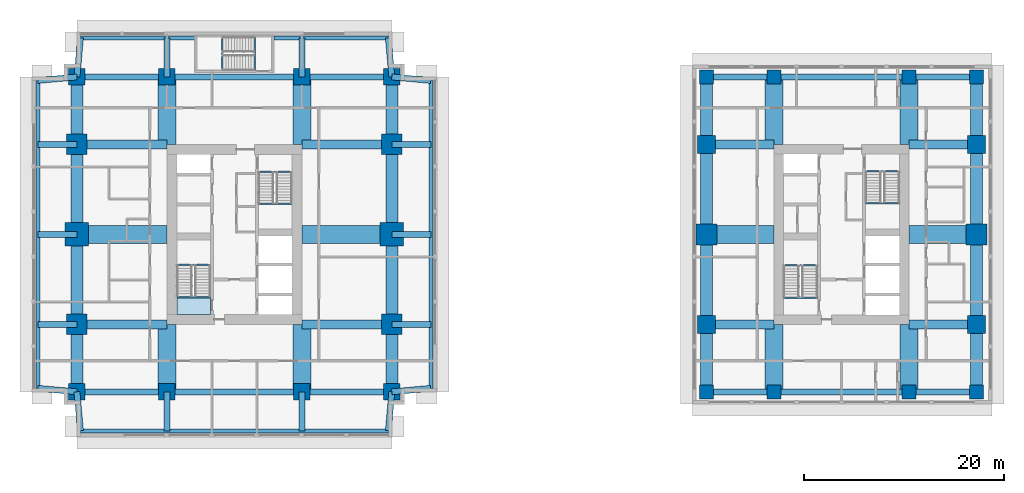
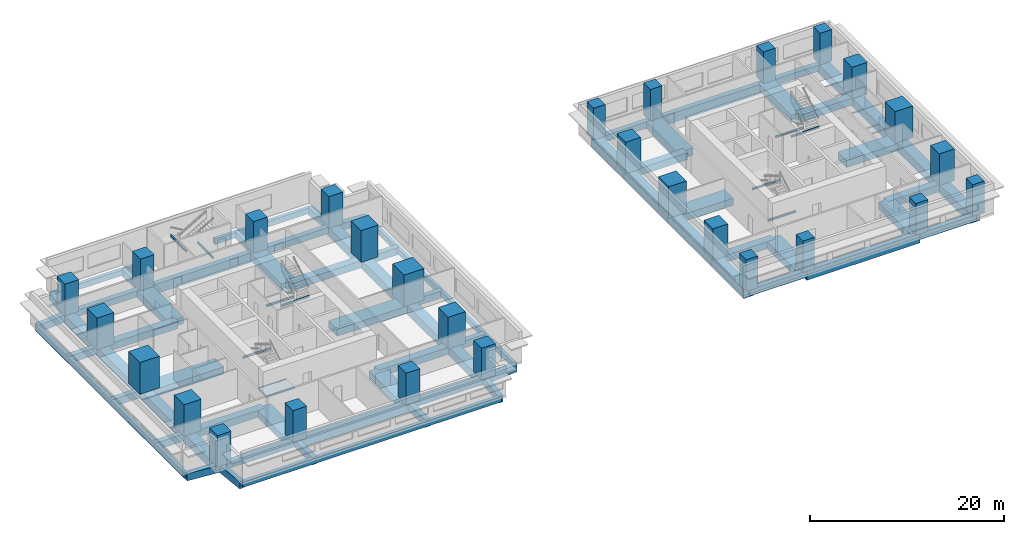
# One storey, part 1 of 11: 81 beams, 28 columns, 1 slab, 1 element without a shape of its own.
"""IFC4 building model written with IfcOpenShell, lengths in metres."""

from ifc_helpers import new_model, si_unit, direction, frame, origin, origin_2d, place, context, subcontext, project, spatial, polyline, rectangle, i_section, outline, extrude, material, layer, layer_set, material_profile, profile_set, type_object, element, aggregate, save


model = new_model("IFC4")

# Units and contexts
model_context = context("Model", 3, precision=1e-05, world=origin(), true_north=direction((0.0, 1.0)))
body_context = subcontext(model_context, "Body", "Model", "MODEL_VIEW")
ifc_project = project(units=[si_unit("LENGTHUNIT", "METRE"), si_unit("AREAUNIT", "SQUARE_METRE"), si_unit("VOLUMEUNIT", "CUBIC_METRE"), si_unit("PLANEANGLEUNIT", "RADIAN"), si_unit("MASSUNIT", "GRAM", prefix="KILO")], contexts=[model_context])

# Site, building, storey
site_placement = place(None, origin())
site = spatial("IfcSite", under=ifc_project, at=site_placement, CompositionType="ELEMENT")
building_placement = place(site_placement, origin())
building = spatial("IfcBuilding", under=site, at=building_placement, Name="Namib Vertical Campus", CompositionType="ELEMENT")
storey_placement = place(building_placement, frame((0.0, 0.0, 193.0)))
storey = spatial("IfcBuildingStorey", under=building, at=storey_placement, Name="L45", CompositionType="ELEMENT", Elevation=193.0)

# Columns
ifc_material_1 = material(Name="Concrete C60/75", Category="concrete")
ifc_material_profile_1 = material_profile(ifc_material_1, rectangle(XDim=1.39990234375, YDim=1.39990234375, at=origin_2d()))
ifc_profile_set_1 = profile_set([ifc_material_profile_1], Name="Concrete C60/75")
column_type_1 = type_object("IfcColumnType", Name="Column RC 1400x1400", PredefinedType="COLUMN", material=ifc_profile_set_1)
for number, where, z_axis, x_axis, name in (
    (1, (67.5, 4.5, 0.0), (0.0, 0.0, 1.0), (1.0, 0.0, 0.0), "Column C140 L45"),
    (2, (74.25, 4.5, 0.0), (0.0, 0.0, 1.0), (1.0, 0.0, 0.0), "Column C140 L45"),
    (3, (87.75, 4.5, 0.0), (0.0, 0.0, 1.0), (1.0, 0.0, 0.0), "Column C140 L45"),
    (4, (94.5, 4.5, 0.0), (0.0, 0.0, 1.0), (1.0, 0.0, 0.0), "Column C140 L45"),
    (5, (67.5, 36.0, 0.0), (0.0, 0.0, 1.0), (1.0, 0.0, 0.0), "Column C140 L45"),
    (6, (74.25, 36.0, 0.0), (0.0, 0.0, 1.0), (1.0, 0.0, 0.0), "Column C140 L45"),
    (7, (87.75, 36.0, 0.0), (0.0, 0.0, 1.0), (1.0, 0.0, 0.0), "Column C140 L45"),
    (8, (94.5, 36.0, 0.0), (0.0, 0.0, 1.0), (1.0, 0.0, 0.0), "Column C140 L45"),
):
    element("IfcColumn", number, at=place(storey_placement, frame(where, z_axis=z_axis, x_axis=x_axis)), inside=storey, type_object=column_type_1, Name=name, PredefinedType="COLUMN", context=body_context, shape_type="SweptSolid", body=[
        extrude(rectangle(XDim=1.39990234375, YDim=1.39990234375, at=origin_2d()), origin(), (0.0, 0.0, 1.0), 4.0),
    ])
ifc_material_2 = material(Name="Concrete C60/75", Category="concrete")
ifc_material_profile_2 = material_profile(ifc_material_2, rectangle(XDim=1.64990234375, YDim=1.64990234375, at=origin_2d()))
ifc_profile_set_2 = profile_set([ifc_material_profile_2], Name="Concrete C60/75")
column_type_2 = type_object("IfcColumnType", Name="Column RC 1650x1650", PredefinedType="COLUMN", material=ifc_profile_set_2)
for number, where, z_axis, x_axis, name in (
    (9, (4.5, 4.5, 0.0), (0.0, 0.0, 1.0), (1.0, 0.0, 0.0), "Column C165 L45"),
    (10, (13.5, 4.5, 0.0), (0.0, 0.0, 1.0), (1.0, 0.0, 0.0), "Column C165 L45"),
    (11, (27.0, 4.5, 0.0), (0.0, 0.0, 1.0), (1.0, 0.0, 0.0), "Column C165 L45"),
    (12, (36.0, 4.5, 0.0), (0.0, 0.0, 1.0), (1.0, 0.0, 0.0), "Column C165 L45"),
    (13, (4.5, 36.0, 0.0), (0.0, 0.0, 1.0), (1.0, 0.0, 0.0), "Column C165 L45"),
    (14, (13.5, 36.0, 0.0), (0.0, 0.0, 1.0), (1.0, 0.0, 0.0), "Column C165 L45"),
    (15, (27.0, 36.0, 0.0), (0.0, 0.0, 1.0), (1.0, 0.0, 0.0), "Column C165 L45"),
    (16, (36.0, 36.0, 0.0), (0.0, 0.0, 1.0), (1.0, 0.0, 0.0), "Column C165 L45"),
):
    element("IfcColumn", number, at=place(storey_placement, frame(where, z_axis=z_axis, x_axis=x_axis)), inside=storey, type_object=column_type_2, Name=name, PredefinedType="COLUMN", context=body_context, shape_type="SweptSolid", body=[
        extrude(rectangle(XDim=1.64990234375, YDim=1.64990234375, at=origin_2d()), origin(), (0.0, 0.0, 1.0), 4.0),
    ])
ifc_material_3 = material(Name="Concrete C60/75", Category="concrete")
ifc_material_profile_3 = material_profile(ifc_material_3, rectangle(XDim=1.800048828125, YDim=1.800048828125, at=origin_2d()))
ifc_profile_set_3 = profile_set([ifc_material_profile_3], Name="Concrete C60/75")
column_type_3 = type_object("IfcColumnType", Name="Column RC 1800x1800", PredefinedType="COLUMN", material=ifc_profile_set_3)
for number, where, z_axis, x_axis, name in (
    (17, (67.5, 11.25, 0.0), (0.0, 0.0, 1.0), (1.0, 0.0, 0.0), "Column C180 L45"),
    (18, (94.5, 11.25, 0.0), (0.0, 0.0, 1.0), (1.0, 0.0, 0.0), "Column C180 L45"),
    (19, (67.5, 29.25, 0.0), (0.0, 0.0, 1.0), (1.0, 0.0, 0.0), "Column C180 L45"),
    (20, (94.5, 29.25, 0.0), (0.0, 0.0, 1.0), (1.0, 0.0, 0.0), "Column C180 L45"),
):
    element("IfcColumn", number, at=place(storey_placement, frame(where, z_axis=z_axis, x_axis=x_axis)), inside=storey, type_object=column_type_3, Name=name, PredefinedType="COLUMN", context=body_context, shape_type="SweptSolid", body=[
        extrude(rectangle(XDim=1.800048828125, YDim=1.800048828125, at=origin_2d()), origin(), (0.0, 0.0, 1.0), 4.0),
    ])
ifc_material_4 = material(Name="Concrete C60/75", Category="concrete")
ifc_material_profile_4 = material_profile(ifc_material_4, rectangle(XDim=2.050048828125, YDim=2.050048828125, at=origin_2d()))
ifc_profile_set_4 = profile_set([ifc_material_profile_4], Name="Concrete C60/75")
column_type_4 = type_object("IfcColumnType", Name="Column RC 2050x2050", PredefinedType="COLUMN", material=ifc_profile_set_4)
for number, where, z_axis, x_axis, name in (
    (21, (4.5, 11.25, 0.0), (0.0, 0.0, 1.0), (1.0, 0.0, 0.0), "Column C205 L45"),
    (22, (36.0, 11.25, 0.0), (0.0, 0.0, 1.0), (1.0, 0.0, 0.0), "Column C205 L45"),
    (23, (4.5, 29.25, 0.0), (0.0, 0.0, 1.0), (1.0, 0.0, 0.0), "Column C205 L45"),
    (24, (36.0, 29.25, 0.0), (0.0, 0.0, 1.0), (1.0, 0.0, 0.0), "Column C205 L45"),
):
    element("IfcColumn", number, at=place(storey_placement, frame(where, z_axis=z_axis, x_axis=x_axis)), inside=storey, type_object=column_type_4, Name=name, PredefinedType="COLUMN", context=body_context, shape_type="SweptSolid", body=[
        extrude(rectangle(XDim=2.050048828125, YDim=2.050048828125, at=origin_2d()), origin(), (0.0, 0.0, 1.0), 4.0),
    ])
ifc_material_5 = material(Name="Concrete C60/75", Category="concrete")
ifc_material_profile_5 = material_profile(ifc_material_5, rectangle(XDim=2.10009765625, YDim=2.10009765625, at=origin_2d()))
ifc_profile_set_5 = profile_set([ifc_material_profile_5], Name="Concrete C60/75")
column_type_5 = type_object("IfcColumnType", Name="Column RC 2100x2100", PredefinedType="COLUMN", material=ifc_profile_set_5)
for number, where, z_axis, x_axis, name in (
    (25, (67.5, 20.25, 0.0), (0.0, 0.0, 1.0), (1.0, 0.0, 0.0), "Column C210 L45"),
    (26, (94.5, 20.25, 0.0), (0.0, 0.0, 1.0), (1.0, 0.0, 0.0), "Column C210 L45"),
):
    element("IfcColumn", number, at=place(storey_placement, frame(where, z_axis=z_axis, x_axis=x_axis)), inside=storey, type_object=column_type_5, Name=name, PredefinedType="COLUMN", context=body_context, shape_type="SweptSolid", body=[
        extrude(rectangle(XDim=2.10009765625, YDim=2.10009765625, at=origin_2d()), origin(), (0.0, 0.0, 1.0), 4.0),
    ])
ifc_material_6 = material(Name="Concrete C60/75", Category="concrete")
ifc_material_profile_6 = material_profile(ifc_material_6, rectangle(XDim=2.35009765625, YDim=2.35009765625, at=origin_2d()))
ifc_profile_set_6 = profile_set([ifc_material_profile_6], Name="Concrete C60/75")
column_type_6 = type_object("IfcColumnType", Name="Column RC 2350x2350", PredefinedType="COLUMN", material=ifc_profile_set_6)
for number, where, z_axis, x_axis, name in (
    (27, (4.5, 20.25, 0.0), (0.0, 0.0, 1.0), (1.0, 0.0, 0.0), "Column C235 L45"),
    (28, (36.0, 20.25, 0.0), (0.0, 0.0, 1.0), (1.0, 0.0, 0.0), "Column C235 L45"),
):
    element("IfcColumn", number, at=place(storey_placement, frame(where, z_axis=z_axis, x_axis=x_axis)), inside=storey, type_object=column_type_6, Name=name, PredefinedType="COLUMN", context=body_context, shape_type="SweptSolid", body=[
        extrude(rectangle(XDim=2.35009765625, YDim=2.35009765625, at=origin_2d()), origin(), (0.0, 0.0, 1.0), 4.0),
    ])

# Beams
ifc_material_7 = material(Name="Concrete C40/50", Category="concrete")
ifc_material_profile_7 = material_profile(ifc_material_7, rectangle(XDim=0.60009765625, YDim=0.89990234375, at=origin_2d()))
ifc_profile_set_7 = profile_set([ifc_material_profile_7], Name="Concrete C40/50")
beam_type_1 = type_object("IfcBeamType", Name="Cantilever girder RC 600x900", PredefinedType="BEAM", material=ifc_profile_set_7)
beam_1_placement = place(storey_placement, frame((4.5, 4.5, -0.699951171875), z_axis=(0.089411326146, -0.995994786511, 0.0), x_axis=(0.995994786511, 0.089411326146, 0.0)))
element("IfcBeam", 29, at=beam_1_placement, inside=storey, type_object=beam_type_1, Name="Beam B3 L45", PredefinedType="BEAM", context=body_context, shape_type="SweptSolid", body=[
    extrude(rectangle(XDim=0.60009765625, YDim=0.89990234375, at=origin_2d()), origin(), (0.0, 0.0, 1.0), 3.91552734375),
])
for number, where, z_axis, x_axis, name in (
    (30, (13.5, 4.5, -0.699951171875), (0.0, -1.0, 0.0), (1.0, 0.0, 0.0), "Beam B3 L45"),
    (31, (27.0, 4.5, -0.699951171875), (0.0, -1.0, 0.0), (1.0, 0.0, 0.0), "Beam B3 L45"),
):
    element("IfcBeam", number, at=place(storey_placement, frame(where, z_axis=z_axis, x_axis=x_axis)), inside=storey, type_object=beam_type_1, Name=name, PredefinedType="BEAM", context=body_context, shape_type="SweptSolid", body=[
        extrude(rectangle(XDim=0.60009765625, YDim=0.89990234375, at=origin_2d()), origin(), (0.0, 0.0, 1.0), 3.89990234375),
    ])
for number, where, z_axis, x_axis, name in (
    (32, (36.0, 4.5, -0.699951171875), (-0.089411326146, -0.995994786511, 0.0), (0.995994786511, -0.089411326146, 0.0), "Beam B3 L45"),
    (33, (4.5, 36.0, -0.699951171875), (0.089411326146, 0.995994786511, 0.0), (-0.995994786511, 0.089411326146, 0.0), "Beam B3 L45"),
):
    element("IfcBeam", number, at=place(storey_placement, frame(where, z_axis=z_axis, x_axis=x_axis)), inside=storey, type_object=beam_type_1, Name=name, PredefinedType="BEAM", context=body_context, shape_type="SweptSolid", body=[
        extrude(rectangle(XDim=0.60009765625, YDim=0.89990234375, at=origin_2d()), origin(), (0.0, 0.0, 1.0), 3.91552734375),
    ])
for number, where, z_axis, x_axis, name in (
    (34, (13.5, 36.0, -0.699951171875), (0.0, 1.0, 0.0), (-1.0, 0.0, 0.0), "Beam B3 L45"),
    (35, (27.0, 36.0, -0.699951171875), (0.0, 1.0, 0.0), (-1.0, 0.0, 0.0), "Beam B3 L45"),
):
    element("IfcBeam", number, at=place(storey_placement, frame(where, z_axis=z_axis, x_axis=x_axis)), inside=storey, type_object=beam_type_1, Name=name, PredefinedType="BEAM", context=body_context, shape_type="SweptSolid", body=[
        extrude(rectangle(XDim=0.60009765625, YDim=0.89990234375, at=origin_2d()), origin(), (0.0, 0.0, 1.0), 3.89990234375),
    ])
for number, where, z_axis, x_axis, name in (
    (36, (36.0, 36.0, -0.699951171875), (-0.089411326146, 0.995994786511, 0.0), (-0.995994786511, -0.089411326146, 0.0), "Beam B3 L45"),
    (37, (4.5, 4.5, -0.699951171875), (-0.995994786511, 0.089411326146, 0.0), (-0.089411326146, -0.995994786511, 0.0), "Beam B3 L45"),
):
    element("IfcBeam", number, at=place(storey_placement, frame(where, z_axis=z_axis, x_axis=x_axis)), inside=storey, type_object=beam_type_1, Name=name, PredefinedType="BEAM", context=body_context, shape_type="SweptSolid", body=[
        extrude(rectangle(XDim=0.60009765625, YDim=0.89990234375, at=origin_2d()), origin(), (0.0, 0.0, 1.0), 3.91552734375),
    ])
for number, where, z_axis, x_axis, name in (
    (38, (4.5, 11.25, -0.699951171875), (-1.0, 0.0, 0.0), (0.0, -1.0, 0.0), "Beam B3 L45"),
    (39, (4.5, 20.25, -0.699951171875), (-1.0, 0.0, 0.0), (0.0, -1.0, 0.0), "Beam B3 L45"),
    (40, (4.5, 29.25, -0.699951171875), (-1.0, 0.0, 0.0), (0.0, -1.0, 0.0), "Beam B3 L45"),
):
    element("IfcBeam", number, at=place(storey_placement, frame(where, z_axis=z_axis, x_axis=x_axis)), inside=storey, type_object=beam_type_1, Name=name, PredefinedType="BEAM", context=body_context, shape_type="SweptSolid", body=[
        extrude(rectangle(XDim=0.60009765625, YDim=0.89990234375, at=origin_2d()), origin(), (0.0, 0.0, 1.0), 3.89990234375),
    ])
for number, where, z_axis, x_axis, name in (
    (41, (4.5, 36.0, -0.699951171875), (-0.995994786511, -0.089411326146, 0.0), (0.089411326146, -0.995994786511, 0.0), "Beam B3 L45"),
    (42, (36.0, 4.5, -0.699951171875), (0.995994786511, 0.089411326146, 0.0), (-0.089411326146, 0.995994786511, 0.0), "Beam B3 L45"),
):
    element("IfcBeam", number, at=place(storey_placement, frame(where, z_axis=z_axis, x_axis=x_axis)), inside=storey, type_object=beam_type_1, Name=name, PredefinedType="BEAM", context=body_context, shape_type="SweptSolid", body=[
        extrude(rectangle(XDim=0.60009765625, YDim=0.89990234375, at=origin_2d()), origin(), (0.0, 0.0, 1.0), 3.91552734375),
    ])
for number, where, z_axis, x_axis, name in (
    (43, (36.0, 11.25, -0.699951171875), (1.0, 0.0, 0.0), (0.0, 1.0, 0.0), "Beam B3 L45"),
    (44, (36.0, 20.25, -0.699951171875), (1.0, 0.0, 0.0), (0.0, 1.0, 0.0), "Beam B3 L45"),
    (45, (36.0, 29.25, -0.699951171875), (1.0, 0.0, 0.0), (0.0, 1.0, 0.0), "Beam B3 L45"),
):
    element("IfcBeam", number, at=place(storey_placement, frame(where, z_axis=z_axis, x_axis=x_axis)), inside=storey, type_object=beam_type_1, Name=name, PredefinedType="BEAM", context=body_context, shape_type="SweptSolid", body=[
        extrude(rectangle(XDim=0.60009765625, YDim=0.89990234375, at=origin_2d()), origin(), (0.0, 0.0, 1.0), 3.89990234375),
    ])
beam_2_placement = place(storey_placement, frame((36.0, 36.0, -0.699951171875), z_axis=(0.995994786511, -0.089411326146, 0.0), x_axis=(0.089411326146, 0.995994786511, 0.0)))
element("IfcBeam", 46, at=beam_2_placement, inside=storey, type_object=beam_type_1, Name="Beam B3 L45", PredefinedType="BEAM", context=body_context, shape_type="SweptSolid", body=[
    extrude(rectangle(XDim=0.60009765625, YDim=0.89990234375, at=origin_2d()), origin(), (0.0, 0.0, 1.0), 3.91552734375),
])
ifc_material_8 = material(Name="Concrete C40/50", Category="concrete")
ifc_material_profile_8 = material_profile(ifc_material_8, rectangle(XDim=0.39990234375, YDim=0.699951171875, at=origin_2d()))
ifc_profile_set_8 = profile_set([ifc_material_profile_8], Name="Concrete C40/50")
beam_type_2 = type_object("IfcBeamType", Name="Edge beam RC 400x700", PredefinedType="SPANDREL", material=ifc_profile_set_8)
beam_3_placement = place(storey_placement, frame((4.85009765625, 0.60009765625, -0.60009765625), z_axis=(1.0, 0.0, 0.0), x_axis=(0.0, 1.0, 0.0)))
element("IfcBeam", 47, at=beam_3_placement, inside=storey, type_object=beam_type_2, Name="Beam B4 L45", PredefinedType="SPANDREL", context=body_context, shape_type="SweptSolid", body=[
    extrude(rectangle(XDim=0.39990234375, YDim=0.699951171875, at=origin_2d()), origin(), (0.0, 0.0, 1.0), 30.7998046875),
])
for number, where, z_axis, x_axis, name in (
    (48, (4.85009765625, 39.89990234375, -0.60009765625), (1.0, 0.0, 0.0), (0.0, 1.0, 0.0), "Beam B4 L45"),
    (49, (24.199951171875, 39.89990234375, -0.60009765625), (1.0, 0.0, 0.0), (0.0, 1.0, 0.0), "Beam B4 L45"),
):
    element("IfcBeam", number, at=place(storey_placement, frame(where, z_axis=z_axis, x_axis=x_axis)), inside=storey, type_object=beam_type_2, Name=name, PredefinedType="SPANDREL", context=body_context, shape_type="SweptSolid", body=[
        extrude(rectangle(XDim=0.39990234375, YDim=0.699951171875, at=origin_2d()), origin(), (0.0, 0.0, 1.0), 11.449951171875),
    ])
for number, where, z_axis, x_axis, name in (
    (50, (0.60009765625, 4.85009765625, -0.60009765625), (0.0, 1.0, 0.0), (-1.0, 0.0, 0.0), "Beam B4 L45"),
    (51, (39.89990234375, 4.85009765625, -0.60009765625), (0.0, 1.0, 0.0), (-1.0, 0.0, 0.0), "Beam B4 L45"),
):
    element("IfcBeam", number, at=place(storey_placement, frame(where, z_axis=z_axis, x_axis=x_axis)), inside=storey, type_object=beam_type_2, Name=name, PredefinedType="SPANDREL", context=body_context, shape_type="SweptSolid", body=[
        extrude(rectangle(XDim=0.39990234375, YDim=0.699951171875, at=origin_2d()), origin(), (0.0, 0.0, 1.0), 30.7998046875),
    ])
ifc_material_9 = material(Name="Concrete C40/50", Category="concrete")
ifc_material_profile_9 = material_profile(ifc_material_9, rectangle(XDim=0.89990234375, YDim=0.89990234375, at=origin_2d()))
ifc_profile_set_9 = profile_set([ifc_material_profile_9], Name="Concrete C40/50")
beam_type_3 = type_object("IfcBeamType", Name="Face girder RC 900x900", PredefinedType="BEAM", material=ifc_profile_set_9)
for number, where, z_axis, x_axis, name in (
    (52, (4.5, 11.25, -0.699951171875), (1.0, 0.0, 0.0), (0.0, 1.0, 0.0), "Beam B10 L45"),
    (53, (36.0, 11.25, -0.699951171875), (-1.0, 0.0, 0.0), (0.0, -1.0, 0.0), "Beam B10 L45"),
    (54, (4.5, 29.25, -0.699951171875), (1.0, 0.0, 0.0), (0.0, 1.0, 0.0), "Beam B10 L45"),
    (55, (36.0, 29.25, -0.699951171875), (-1.0, 0.0, 0.0), (0.0, -1.0, 0.0), "Beam B10 L45"),
):
    element("IfcBeam", number, at=place(storey_placement, frame(where, z_axis=z_axis, x_axis=x_axis)), inside=storey, type_object=beam_type_3, Name=name, PredefinedType="BEAM", context=body_context, shape_type="SweptSolid", body=[
        extrude(rectangle(XDim=0.89990234375, YDim=0.89990234375, at=origin_2d()), origin(), (0.0, 0.0, 1.0), 9.0),
    ])
for number, where, z_axis, x_axis, name in (
    (56, (67.5, 11.25, -0.699951171875), (1.0, 0.0, 0.0), (0.0, 1.0, 0.0), "Beam B10 L45"),
    (57, (94.5, 11.25, -0.699951171875), (-1.0, 0.0, 0.0), (0.0, -1.0, 0.0), "Beam B10 L45"),
    (58, (67.5, 29.25, -0.699951171875), (1.0, 0.0, 0.0), (0.0, 1.0, 0.0), "Beam B10 L45"),
    (59, (94.5, 29.25, -0.699951171875), (-1.0, 0.0, 0.0), (0.0, -1.0, 0.0), "Beam B10 L45"),
):
    element("IfcBeam", number, at=place(storey_placement, frame(where, z_axis=z_axis, x_axis=x_axis)), inside=storey, type_object=beam_type_3, Name=name, PredefinedType="BEAM", context=body_context, shape_type="SweptSolid", body=[
        extrude(rectangle(XDim=0.89990234375, YDim=0.89990234375, at=origin_2d()), origin(), (0.0, 0.0, 1.0), 6.75),
    ])
ifc_material_10 = material(Name="Concrete C40/50", Category="concrete")
ifc_material_profile_10 = material_profile(ifc_material_10, rectangle(XDim=1.199951171875, YDim=1.10009765625, at=origin_2d()))
ifc_profile_set_10 = profile_set([ifc_material_profile_10], Name="Concrete C40/50")
beam_type_4 = type_object("IfcBeamType", Name="Face ring beam RC 1200x1100", PredefinedType="BEAM", material=ifc_profile_set_10)
beam_4_placement = place(storey_placement, frame((4.5, 4.5, -0.800048828125), z_axis=(0.0, 1.0, 0.0), x_axis=(-1.0, 0.0, 0.0)))
element("IfcBeam", 60, at=beam_4_placement, inside=storey, type_object=beam_type_4, Name="Beam B11 L45", PredefinedType="BEAM", context=body_context, shape_type="SweptSolid", body=[
    extrude(rectangle(XDim=1.199951171875, YDim=1.10009765625, at=origin_2d()), origin(), (0.0, 0.0, 1.0), 6.75),
])
for number, where, z_axis, x_axis, name in (
    (61, (4.5, 11.25, -0.800048828125), (0.0, 1.0, 0.0), (-1.0, 0.0, 0.0), "Beam B11 L45"),
    (62, (4.5, 20.25, -0.800048828125), (0.0, 1.0, 0.0), (-1.0, 0.0, 0.0), "Beam B11 L45"),
):
    element("IfcBeam", number, at=place(storey_placement, frame(where, z_axis=z_axis, x_axis=x_axis)), inside=storey, type_object=beam_type_4, Name=name, PredefinedType="BEAM", context=body_context, shape_type="SweptSolid", body=[
        extrude(rectangle(XDim=1.199951171875, YDim=1.10009765625, at=origin_2d()), origin(), (0.0, 0.0, 1.0), 9.0),
    ])
for number, where, z_axis, x_axis, name in (
    (63, (4.5, 29.25, -0.800048828125), (0.0, 1.0, 0.0), (-1.0, 0.0, 0.0), "Beam B11 L45"),
    (64, (36.0, 4.5, -0.800048828125), (0.0, 1.0, 0.0), (-1.0, 0.0, 0.0), "Beam B11 L45"),
):
    element("IfcBeam", number, at=place(storey_placement, frame(where, z_axis=z_axis, x_axis=x_axis)), inside=storey, type_object=beam_type_4, Name=name, PredefinedType="BEAM", context=body_context, shape_type="SweptSolid", body=[
        extrude(rectangle(XDim=1.199951171875, YDim=1.10009765625, at=origin_2d()), origin(), (0.0, 0.0, 1.0), 6.75),
    ])
for number, where, z_axis, x_axis, name in (
    (65, (36.0, 11.25, -0.800048828125), (0.0, 1.0, 0.0), (-1.0, 0.0, 0.0), "Beam B11 L45"),
    (66, (36.0, 20.25, -0.800048828125), (0.0, 1.0, 0.0), (-1.0, 0.0, 0.0), "Beam B11 L45"),
):
    element("IfcBeam", number, at=place(storey_placement, frame(where, z_axis=z_axis, x_axis=x_axis)), inside=storey, type_object=beam_type_4, Name=name, PredefinedType="BEAM", context=body_context, shape_type="SweptSolid", body=[
        extrude(rectangle(XDim=1.199951171875, YDim=1.10009765625, at=origin_2d()), origin(), (0.0, 0.0, 1.0), 9.0),
    ])
for number, where, z_axis, x_axis, name in (
    (67, (36.0, 29.25, -0.800048828125), (0.0, 1.0, 0.0), (-1.0, 0.0, 0.0), "Beam B11 L45"),
    (68, (67.5, 4.5, -0.800048828125), (0.0, 1.0, 0.0), (-1.0, 0.0, 0.0), "Beam B11 L45"),
):
    element("IfcBeam", number, at=place(storey_placement, frame(where, z_axis=z_axis, x_axis=x_axis)), inside=storey, type_object=beam_type_4, Name=name, PredefinedType="BEAM", context=body_context, shape_type="SweptSolid", body=[
        extrude(rectangle(XDim=1.199951171875, YDim=1.10009765625, at=origin_2d()), origin(), (0.0, 0.0, 1.0), 6.75),
    ])
for number, where, z_axis, x_axis, name in (
    (69, (67.5, 11.25, -0.800048828125), (0.0, 1.0, 0.0), (-1.0, 0.0, 0.0), "Beam B11 L45"),
    (70, (67.5, 20.25, -0.800048828125), (0.0, 1.0, 0.0), (-1.0, 0.0, 0.0), "Beam B11 L45"),
):
    element("IfcBeam", number, at=place(storey_placement, frame(where, z_axis=z_axis, x_axis=x_axis)), inside=storey, type_object=beam_type_4, Name=name, PredefinedType="BEAM", context=body_context, shape_type="SweptSolid", body=[
        extrude(rectangle(XDim=1.199951171875, YDim=1.10009765625, at=origin_2d()), origin(), (0.0, 0.0, 1.0), 9.0),
    ])
for number, where, z_axis, x_axis, name in (
    (71, (67.5, 29.25, -0.800048828125), (0.0, 1.0, 0.0), (-1.0, 0.0, 0.0), "Beam B11 L45"),
    (72, (94.5, 4.5, -0.800048828125), (0.0, 1.0, 0.0), (-1.0, 0.0, 0.0), "Beam B11 L45"),
):
    element("IfcBeam", number, at=place(storey_placement, frame(where, z_axis=z_axis, x_axis=x_axis)), inside=storey, type_object=beam_type_4, Name=name, PredefinedType="BEAM", context=body_context, shape_type="SweptSolid", body=[
        extrude(rectangle(XDim=1.199951171875, YDim=1.10009765625, at=origin_2d()), origin(), (0.0, 0.0, 1.0), 6.75),
    ])
for number, where, z_axis, x_axis, name in (
    (73, (94.5, 11.25, -0.800048828125), (0.0, 1.0, 0.0), (-1.0, 0.0, 0.0), "Beam B11 L45"),
    (74, (94.5, 20.25, -0.800048828125), (0.0, 1.0, 0.0), (-1.0, 0.0, 0.0), "Beam B11 L45"),
):
    element("IfcBeam", number, at=place(storey_placement, frame(where, z_axis=z_axis, x_axis=x_axis)), inside=storey, type_object=beam_type_4, Name=name, PredefinedType="BEAM", context=body_context, shape_type="SweptSolid", body=[
        extrude(rectangle(XDim=1.199951171875, YDim=1.10009765625, at=origin_2d()), origin(), (0.0, 0.0, 1.0), 9.0),
    ])
beam_5_placement = place(storey_placement, frame((94.5, 29.25, -0.800048828125), z_axis=(0.0, 1.0, 0.0), x_axis=(-1.0, 0.0, 0.0)))
element("IfcBeam", 75, at=beam_5_placement, inside=storey, type_object=beam_type_4, Name="Beam B11 L45", PredefinedType="BEAM", context=body_context, shape_type="SweptSolid", body=[
    extrude(rectangle(XDim=1.199951171875, YDim=1.10009765625, at=origin_2d()), origin(), (0.0, 0.0, 1.0), 6.75),
])
ifc_material_11 = material(Name="Steel S355JR", Category="steel")
ifc_material_profile_11 = material_profile(ifc_material_11, i_section(OverallWidth=0.14599609375, OverallDepth=0.25146484375, WebThickness=0.006103515625, FlangeThickness=0.008544921875, FilletRadius=0.007568359375, at=origin_2d()))
ifc_profile_set_11 = profile_set([ifc_material_profile_11], Name="Steel S355JR")
beam_type_5 = type_object("IfcBeamType", Name="Landing trimmer UB 254x146x31", PredefinedType="BEAM", material=ifc_profile_set_11)
for number, where, z_axis, x_axis, name in (
    (76, (14.5, 13.97705078125, -0.125732421875), (1.0, 0.0, 0.0), (0.0, 1.0, 0.0), "Landing trimmer LT1 A-S1 L45 1"),
    (77, (14.5, 17.203125, 1.874267578125), (1.0, 0.0, 0.0), (0.0, 1.0, 0.0), "Landing trimmer LT1 A-S1 L45 2"),
    (78, (22.64990234375, 26.52294921875, -0.125732421875), (1.0, 0.0, 0.0), (0.0, 1.0, 0.0), "Landing trimmer LT1 A-S2 L45 1"),
    (79, (22.64990234375, 23.296875, 1.874267578125), (1.0, 0.0, 0.0), (0.0, 1.0, 0.0), "Landing trimmer LT1 A-S2 L45 2"),
):
    element("IfcBeam", number, at=place(storey_placement, frame(where, z_axis=z_axis, x_axis=x_axis)), inside=storey, type_object=beam_type_5, Name=name, PredefinedType="BEAM", context=body_context, shape_type="SweptSolid", body=[
        extrude(i_section(OverallWidth=0.14599609375, OverallDepth=0.25146484375, WebThickness=0.006103515625, FlangeThickness=0.008544921875, FilletRadius=0.007568359375, at=origin_2d()), origin(), (0.0, 0.0, 1.0), 3.35009765625),
    ])
for number, where, z_axis, x_axis, name in (
    (80, (75.199951171875, 13.927001953125, -0.125732421875), (1.0, 0.0, 0.0), (0.0, 1.0, 0.0), "Landing trimmer LT1 B-S1 L45 1"),
    (81, (75.199951171875, 17.153076171875, 1.874267578125), (1.0, 0.0, 0.0), (0.0, 1.0, 0.0), "Landing trimmer LT1 B-S1 L45 2"),
    (82, (83.39990234375, 26.572998046875, -0.125732421875), (1.0, 0.0, 0.0), (0.0, 1.0, 0.0), "Landing trimmer LT1 B-S2 L45 1"),
    (83, (83.39990234375, 23.346923828125, 1.874267578125), (1.0, 0.0, 0.0), (0.0, 1.0, 0.0), "Landing trimmer LT1 B-S2 L45 2"),
):
    element("IfcBeam", number, at=place(storey_placement, frame(where, z_axis=z_axis, x_axis=x_axis)), inside=storey, type_object=beam_type_5, Name=name, PredefinedType="BEAM", context=body_context, shape_type="SweptSolid", body=[
        extrude(i_section(OverallWidth=0.14599609375, OverallDepth=0.25146484375, WebThickness=0.006103515625, FlangeThickness=0.008544921875, FilletRadius=0.007568359375, at=origin_2d()), origin(), (0.0, 0.0, 1.0), 3.400146484375),
    ])
for number, where, z_axis, x_axis, name in (
    (84, (22.27294921875, 36.64990234375, -0.125732421875), (0.0, 1.0, 0.0), (-1.0, 0.0, 0.0), "Landing trimmer LT1 A-S3 L45 1"),
    (85, (19.046875, 36.64990234375, 1.874267578125), (0.0, 1.0, 0.0), (-1.0, 0.0, 0.0), "Landing trimmer LT1 A-S3 L45 2"),
):
    element("IfcBeam", number, at=place(storey_placement, frame(where, z_axis=z_axis, x_axis=x_axis)), inside=storey, type_object=beam_type_5, Name=name, PredefinedType="BEAM", context=body_context, shape_type="SweptSolid", body=[
        extrude(i_section(OverallWidth=0.14599609375, OverallDepth=0.25146484375, WebThickness=0.006103515625, FlangeThickness=0.008544921875, FilletRadius=0.007568359375, at=origin_2d()), origin(), (0.0, 0.0, 1.0), 3.35009765625),
    ])
ifc_material_12 = material(Name="Concrete C40/50", Category="concrete")
ifc_material_profile_12 = material_profile(ifc_material_12, rectangle(XDim=0.60009765625, YDim=1.199951171875, at=origin_2d()))
ifc_profile_set_12 = profile_set([ifc_material_profile_12], Name="Concrete C40/50")
beam_type_6 = type_object("IfcBeamType", Name="Long-span ring beam RC 600x1200", PredefinedType="BEAM", material=ifc_profile_set_12)
for number, where, z_axis, x_axis, name in (
    (86, (13.5, 4.5, -0.85009765625), (1.0, 0.0, 0.0), (0.0, 1.0, 0.0), "Beam B9 L45"),
    (87, (13.5, 36.0, -0.85009765625), (1.0, 0.0, 0.0), (0.0, 1.0, 0.0), "Beam B9 L45"),
    (88, (74.25, 4.5, -0.85009765625), (1.0, 0.0, 0.0), (0.0, 1.0, 0.0), "Beam B9 L45"),
    (89, (74.25, 36.0, -0.85009765625), (1.0, 0.0, 0.0), (0.0, 1.0, 0.0), "Beam B9 L45"),
):
    element("IfcBeam", number, at=place(storey_placement, frame(where, z_axis=z_axis, x_axis=x_axis)), inside=storey, type_object=beam_type_6, Name=name, PredefinedType="BEAM", context=body_context, shape_type="SweptSolid", body=[
        extrude(rectangle(XDim=0.60009765625, YDim=1.199951171875, at=origin_2d()), origin(), (0.0, 0.0, 1.0), 13.5),
    ])
ifc_material_13 = material(Name="Concrete C40/50", Category="concrete")
ifc_material_profile_13 = material_profile(ifc_material_13, rectangle(XDim=1.800048828125, YDim=0.89990234375, at=origin_2d()))
ifc_profile_set_13 = profile_set([ifc_material_profile_13], Name="Concrete C40/50")
beam_type_7 = type_object("IfcBeamType", Name="Outrigger line girder RC 1800x900", PredefinedType="BEAM", material=ifc_profile_set_13)
for number, where, z_axis, x_axis, name in (
    (90, (13.5, 4.5, -0.699951171875), (0.0, 1.0, 0.0), (-1.0, 0.0, 0.0), "Beam B12 L45"),
    (91, (13.5, 36.0, -0.699951171875), (0.0, -1.0, 0.0), (1.0, 0.0, 0.0), "Beam B12 L45"),
    (92, (27.0, 4.5, -0.699951171875), (0.0, 1.0, 0.0), (-1.0, 0.0, 0.0), "Beam B12 L45"),
    (93, (27.0, 36.0, -0.699951171875), (0.0, -1.0, 0.0), (1.0, 0.0, 0.0), "Beam B12 L45"),
):
    element("IfcBeam", number, at=place(storey_placement, frame(where, z_axis=z_axis, x_axis=x_axis)), inside=storey, type_object=beam_type_7, Name=name, PredefinedType="BEAM", context=body_context, shape_type="SweptSolid", body=[
        extrude(rectangle(XDim=1.800048828125, YDim=0.89990234375, at=origin_2d()), origin(), (0.0, 0.0, 1.0), 6.75),
    ])
for number, where, z_axis, x_axis, name in (
    (94, (4.5, 20.25, -0.699951171875), (1.0, 0.0, 0.0), (0.0, 1.0, 0.0), "Beam B12 L45"),
    (95, (36.0, 20.25, -0.699951171875), (-1.0, 0.0, 0.0), (0.0, -1.0, 0.0), "Beam B12 L45"),
):
    element("IfcBeam", number, at=place(storey_placement, frame(where, z_axis=z_axis, x_axis=x_axis)), inside=storey, type_object=beam_type_7, Name=name, PredefinedType="BEAM", context=body_context, shape_type="SweptSolid", body=[
        extrude(rectangle(XDim=1.800048828125, YDim=0.89990234375, at=origin_2d()), origin(), (0.0, 0.0, 1.0), 9.0),
    ])
for number, where, z_axis, x_axis, name in (
    (96, (74.25, 4.5, -0.699951171875), (0.0, 1.0, 0.0), (-1.0, 0.0, 0.0), "Beam B12 L45"),
    (97, (74.25, 36.0, -0.699951171875), (0.0, -1.0, 0.0), (1.0, 0.0, 0.0), "Beam B12 L45"),
    (98, (87.75, 4.5, -0.699951171875), (0.0, 1.0, 0.0), (-1.0, 0.0, 0.0), "Beam B12 L45"),
    (99, (87.75, 36.0, -0.699951171875), (0.0, -1.0, 0.0), (1.0, 0.0, 0.0), "Beam B12 L45"),
    (100, (67.5, 20.25, -0.699951171875), (1.0, 0.0, 0.0), (0.0, 1.0, 0.0), "Beam B12 L45"),
    (101, (94.5, 20.25, -0.699951171875), (-1.0, 0.0, 0.0), (0.0, -1.0, 0.0), "Beam B12 L45"),
):
    element("IfcBeam", number, at=place(storey_placement, frame(where, z_axis=z_axis, x_axis=x_axis)), inside=storey, type_object=beam_type_7, Name=name, PredefinedType="BEAM", context=body_context, shape_type="SweptSolid", body=[
        extrude(rectangle(XDim=1.800048828125, YDim=0.89990234375, at=origin_2d()), origin(), (0.0, 0.0, 1.0), 6.75),
    ])
ifc_material_14 = material(Name="Concrete C40/50", Category="concrete")
ifc_material_profile_14 = material_profile(ifc_material_14, rectangle(XDim=0.60009765625, YDim=0.800048828125, at=origin_2d()))
ifc_profile_set_14 = profile_set([ifc_material_profile_14], Name="Concrete C40/50")
beam_type_8 = type_object("IfcBeamType", Name="Ring beam RC 600x800", PredefinedType="BEAM", material=ifc_profile_set_14)
for number, where, z_axis, x_axis, name in (
    (102, (4.5, 4.5, -0.64990234375), (1.0, 0.0, 0.0), (0.0, 1.0, 0.0), "Beam B1 L45"),
    (103, (27.0, 4.5, -0.64990234375), (1.0, 0.0, 0.0), (0.0, 1.0, 0.0), "Beam B1 L45"),
    (104, (4.5, 36.0, -0.64990234375), (1.0, 0.0, 0.0), (0.0, 1.0, 0.0), "Beam B1 L45"),
    (105, (27.0, 36.0, -0.64990234375), (1.0, 0.0, 0.0), (0.0, 1.0, 0.0), "Beam B1 L45"),
):
    element("IfcBeam", number, at=place(storey_placement, frame(where, z_axis=z_axis, x_axis=x_axis)), inside=storey, type_object=beam_type_8, Name=name, PredefinedType="BEAM", context=body_context, shape_type="SweptSolid", body=[
        extrude(rectangle(XDim=0.60009765625, YDim=0.800048828125, at=origin_2d()), origin(), (0.0, 0.0, 1.0), 9.0),
    ])
for number, where, z_axis, x_axis, name in (
    (106, (67.5, 4.5, -0.64990234375), (1.0, 0.0, 0.0), (0.0, 1.0, 0.0), "Beam B1 L45"),
    (107, (87.75, 4.5, -0.64990234375), (1.0, 0.0, 0.0), (0.0, 1.0, 0.0), "Beam B1 L45"),
    (108, (67.5, 36.0, -0.64990234375), (1.0, 0.0, 0.0), (0.0, 1.0, 0.0), "Beam B1 L45"),
    (109, (87.75, 36.0, -0.64990234375), (1.0, 0.0, 0.0), (0.0, 1.0, 0.0), "Beam B1 L45"),
):
    element("IfcBeam", number, at=place(storey_placement, frame(where, z_axis=z_axis, x_axis=x_axis)), inside=storey, type_object=beam_type_8, Name=name, PredefinedType="BEAM", context=body_context, shape_type="SweptSolid", body=[
        extrude(rectangle(XDim=0.60009765625, YDim=0.800048828125, at=origin_2d()), origin(), (0.0, 0.0, 1.0), 6.75),
    ])

# Stair, slab
ifc_material_15 = material(Name="Concrete C40/50 precast", Category="concrete")
stair_type = type_object("IfcStairType", Name="Exit stair 4000 rise 24 risers 3350 wide", PredefinedType="HALF_TURN_STAIR", material=ifc_material_15)
stair_placement = place(storey_placement, origin())
stair = element("IfcStair", 110, at=stair_placement, inside=storey, type_object=stair_type, Name="Exit stair A-S1 L45", PredefinedType="HALF_TURN_STAIR")
ifc_material_16 = material(Name="Concrete C40/50", Category="concrete")
ifc_layer = layer(ifc_material_16, 0.199951171875)
ifc_layer_set = layer_set([ifc_layer], Name="Concrete C40/50")
slab_type = type_object("IfcSlabType", Name="Stair landing 200", PredefinedType="LANDING", material=ifc_layer_set)
slab_placement = place(storey_placement, frame((0.0, 0.0, -0.199951171875)))
slab = element("IfcSlab", 111, at=slab_placement, type_object=slab_type, Name="A-S1 landing 1", PredefinedType="LANDING", context=body_context, shape_type="SweptSolid", body=[
    extrude(outline(polyline([(14.5, 12.25), (17.85009765625, 12.25), (17.85009765625, 13.90380859375), (14.5, 13.90380859375), (14.5, 12.25)])), origin(), (0.0, 0.0, 1.0), 0.199951171875),
])
aggregate(stair, [slab])

save(model, "model.ifc")
